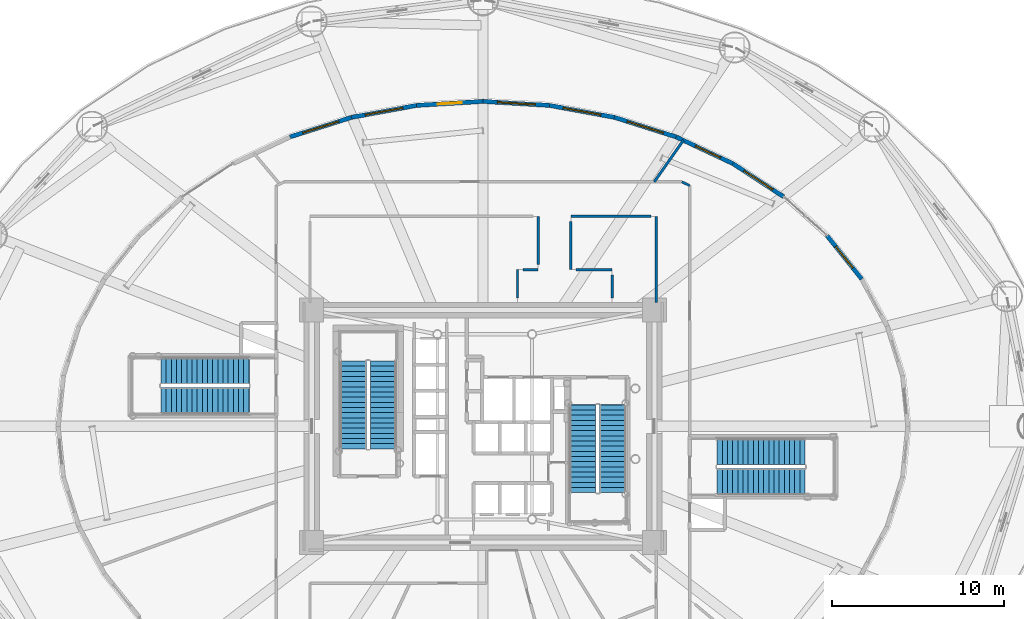
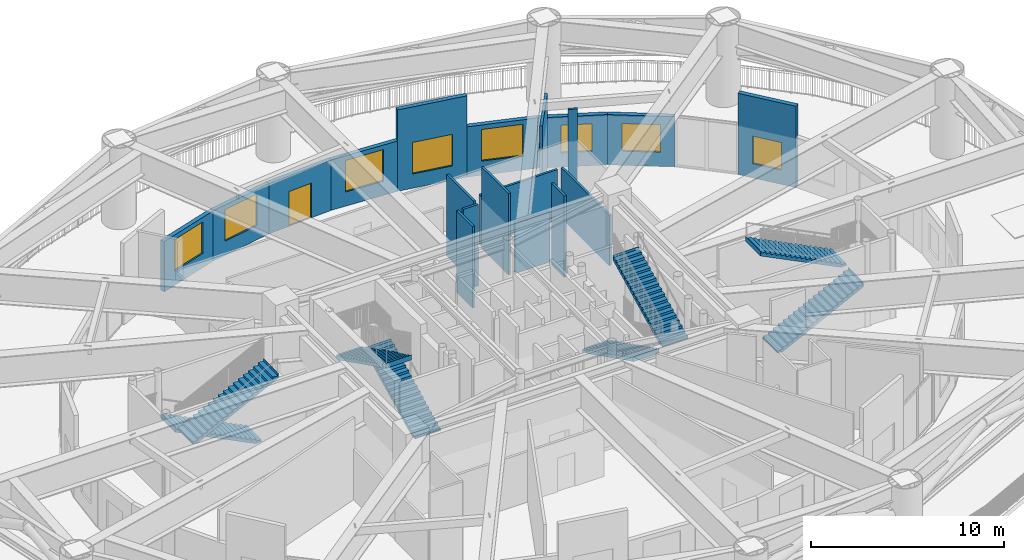
# One storey, part 26 of 39: 19 walls, 8 stair flights, 8 windows, 1 door, 9 openings, 4 elements without a shape of their own.
"""IFC4 building model written with IfcOpenShell, lengths in metres."""

from ifc_helpers import new_model, si_unit, direction, frame, frame_2d, origin, origin_2d, place, context, subcontext, project, spatial, polyline, rectangle, outline, extrude, source, transform, mapped, material, layer, layer_set, type_object, element, fill, aggregate, save


model = new_model("IFC4")

# Units and contexts
model_context = context("Model", 3, precision=1e-05, world=origin(), true_north=direction((0.0, 1.0)))
body_context = subcontext(model_context, "Body", "Model", "MODEL_VIEW")
ifc_project = project(units=[si_unit("LENGTHUNIT", "METRE"), si_unit("AREAUNIT", "SQUARE_METRE"), si_unit("VOLUMEUNIT", "CUBIC_METRE"), si_unit("PLANEANGLEUNIT", "RADIAN"), si_unit("MASSUNIT", "GRAM", prefix="KILO")], contexts=[model_context])

# Site, building, storey
site_placement = place(None, origin())
site = spatial("IfcSite", under=ifc_project, at=site_placement, CompositionType="ELEMENT")
building_placement = place(site_placement, origin())
building = spatial("IfcBuilding", under=site, at=building_placement, Name="Linh Dai School and Residence Tower", CompositionType="ELEMENT")
storey_placement = place(building_placement, frame((0.0, 0.0, 27.0)))
storey = spatial("IfcBuildingStorey", under=building, at=storey_placement, Name="L06", CompositionType="ELEMENT", Elevation=27.0)

# Wall, opening, window
ifc_material_1 = material(Name="Precast Concrete B45 (C35/45)", Category="concrete")
ifc_layer_1 = layer(ifc_material_1, 0.25)
ifc_layer_set_1 = layer_set([ifc_layer_1], Name="Precast Concrete B45 (C35/45)")
wall_type_1 = type_object("IfcWallType", Name="EW-TC-250", PredefinedType="SOLIDWALL", material=ifc_layer_set_1)
wall_1_placement = place(storey_placement, frame((55.972900390625, 38.08203125, 0.0), z_axis=(0.0, 0.0, 1.0), x_axis=(0.624639806262, -0.780912999272, 0.0)))
wall_1 = element("IfcWall", 1, at=wall_1_placement, inside=storey, type_object=wall_type_1, Name="L06 Terracotta Exterior Wall 04", PredefinedType="SOLIDWALL", context=body_context, shape_type="SweptSolid", body=[
    extrude(rectangle(XDim=3.23388671875, YDim=0.25, at=frame_2d((1.616943359375, 0.0))), origin(), (0.0, 0.0, 1.0), 5.14990234375),
])
opening_1_placement = place(wall_1_placement, frame((0.816650390625, 0.0, 0.89990234375)))
opening_1 = element("IfcOpeningElement", 2, at=opening_1_placement, cuts=wall_1, Name="Opening W2", PredefinedType="OPENING", context=body_context, shape_type="SweptSolid", body=[
    extrude(rectangle(XDim=1.60009765625, YDim=1.75, at=origin_2d()), frame((0.800048828125, 0.135009765625, 0.875), z_axis=(0.0, -1.0, 0.0), x_axis=(1.0, 0.0, 0.0)), (0.0, 0.0, 1.0), 0.27001953125),
])
ifc_material_2 = material(Name="Double Low-E Insulated Glazing", Category="glass")
window_type_1 = type_object("IfcWindowType", Name="WN-RES-1600x1750", PartitioningType="DOUBLE_PANEL_VERTICAL", PredefinedType="WINDOW", material=ifc_material_2)
shared_shape_1 = source(origin(), body_context, "Body", "SweptSolid", [
    extrude(rectangle(XDim=1.60009765625, YDim=1.75, at=origin_2d()), frame((0.800048828125, 0.030029296875, 0.875), z_axis=(0.0, -1.0, 0.0), x_axis=(1.0, 0.0, 0.0)), (0.0, 0.0, 1.0), 0.06005859375),
])
window_1_placement = place(opening_1_placement, origin())
window_1 = element("IfcWindow", 3, at=window_1_placement, inside=storey, type_object=window_type_1, Name="L06 Exterior Window 04.1", OverallHeight=1.75, OverallWidth=1.60009765625, PartitioningType="DOUBLE_PANEL_VERTICAL", PredefinedType="WINDOW", context=body_context, shape_type="MappedRepresentation", body=[
    mapped(shared_shape_1, transform((0.0, 0.0, 0.0), x_axis=(1.0, 0.0, 0.0), y_axis=(0.0, 1.0, 0.0), z_axis=(0.0, 0.0, 1.0), scale=1.0)),
])
fill(opening_1, window_1)

wall_2_placement = place(storey_placement, frame((50.516357421875, 42.26220703125, 0.0), z_axis=(0.0, 0.0, 1.0), x_axis=(0.836749499899, -0.547585860317, 0.0)))
wall_2 = element("IfcWall", 4, at=wall_2_placement, inside=storey, type_object=wall_type_1, Name="L06 Terracotta Exterior Wall 06", PredefinedType="SOLIDWALL", context=body_context, shape_type="SweptSolid", body=[
    extrude(rectangle(XDim=3.518310546875, YDim=0.25, at=frame_2d((1.75927734375, 0.0))), origin(), (0.0, 0.0, 1.0), 3.18505859375),
])
opening_2_placement = place(wall_2_placement, frame((0.7587890625, 0.0, 0.89990234375)))
opening_2 = element("IfcOpeningElement", 5, at=opening_2_placement, cuts=wall_2, Name="Opening W1", PredefinedType="OPENING", context=body_context, shape_type="SweptSolid", body=[
    extrude(rectangle(XDim=2.0, YDim=1.75, at=origin_2d()), frame((1.0, 0.135009765625, 0.875), z_axis=(0.0, -1.0, 0.0), x_axis=(1.0, 0.0, 0.0)), (0.0, 0.0, 1.0), 0.27001953125),
])
window_type_2 = type_object("IfcWindowType", Name="WN-RES-2000x1750", PartitioningType="DOUBLE_PANEL_VERTICAL", PredefinedType="WINDOW", material=ifc_material_2)
shared_shape_2 = source(origin(), body_context, "Body", "SweptSolid", [
    extrude(rectangle(XDim=2.0, YDim=1.75, at=origin_2d()), frame((1.0, 0.030029296875, 0.875), z_axis=(0.0, -1.0, 0.0), x_axis=(1.0, 0.0, 0.0)), (0.0, 0.0, 1.0), 0.06005859375),
])
window_2_placement = place(opening_2_placement, origin())
window_2 = element("IfcWindow", 6, at=window_2_placement, inside=storey, type_object=window_type_2, Name="L06 Exterior Window 06.1", OverallHeight=1.75, OverallWidth=2.0, PartitioningType="DOUBLE_PANEL_VERTICAL", PredefinedType="WINDOW", context=body_context, shape_type="MappedRepresentation", body=[
    mapped(shared_shape_2, transform((0.0, 0.0, 0.0), x_axis=(1.0, 0.0, 0.0), y_axis=(0.0, 1.0, 0.0), z_axis=(0.0, 0.0, 1.0), scale=1.0)),
])
fill(opening_2, window_2)

wall_3_placement = place(storey_placement, frame((47.213623046875, 43.812744140625, 0.0), z_axis=(0.0, 0.0, 1.0), x_axis=(0.905208052634, -0.424968682901, 0.0)))
wall_3 = element("IfcWall", 7, at=wall_3_placement, inside=storey, type_object=wall_type_1, Name="L06 Terracotta Exterior Wall 07", PredefinedType="SOLIDWALL", context=body_context, shape_type="SweptSolid", body=[
    extrude(rectangle(XDim=3.648681640625, YDim=0.25, at=frame_2d((1.82421875, 0.0))), origin(), (0.0, 0.0, 1.0), 3.18505859375),
])
opening_3_placement = place(wall_3_placement, frame((1.241455078125, 0.0, 0.89990234375)))
opening_3 = element("IfcOpeningElement", 8, at=opening_3_placement, cuts=wall_3, Name="Opening W2", PredefinedType="OPENING", context=body_context, shape_type="SweptSolid", body=[
    extrude(rectangle(XDim=1.60009765625, YDim=1.75, at=origin_2d()), frame((0.800048828125, 0.135009765625, 0.875), z_axis=(0.0, -1.0, 0.0), x_axis=(1.0, 0.0, 0.0)), (0.0, 0.0, 1.0), 0.27001953125),
])
window_3_placement = place(opening_3_placement, origin())
window_3 = element("IfcWindow", 9, at=window_3_placement, inside=storey, type_object=window_type_1, Name="L06 Exterior Window 07.1", OverallHeight=1.75, OverallWidth=1.60009765625, PartitioningType="DOUBLE_PANEL_VERTICAL", PredefinedType="WINDOW", context=body_context, shape_type="MappedRepresentation", body=[
    mapped(shared_shape_1, transform((0.0, 0.0, 0.0), x_axis=(1.0, 0.0, 0.0), y_axis=(0.0, 1.0, 0.0), z_axis=(0.0, 0.0, 1.0), scale=1.0)),
])
fill(opening_3, window_3)

wall_4_placement = place(storey_placement, frame((43.633544921875, 44.94873046875, 0.0), z_axis=(0.0, 0.0, 1.0), x_axis=(0.953166212936, -0.302446971412, 0.0)))
wall_4 = element("IfcWall", 10, at=wall_4_placement, inside=storey, type_object=wall_type_1, Name="L06 Terracotta Exterior Wall 08", PredefinedType="SOLIDWALL", context=body_context, shape_type="SweptSolid", body=[
    extrude(rectangle(XDim=3.756103515625, YDim=0.25, at=frame_2d((1.8779296875, 0.0))), origin(), (0.0, 0.0, 1.0), 3.18505859375),
])
opening_4_placement = place(wall_4_placement, frame((0.77783203125, 0.0, 0.89990234375)))
opening_4 = element("IfcOpeningElement", 11, at=opening_4_placement, cuts=wall_4, Name="Opening W4", PredefinedType="OPENING", context=body_context, shape_type="SweptSolid", body=[
    extrude(rectangle(XDim=2.199951171875, YDim=2.0, at=origin_2d()), frame((1.10009765625, 0.135009765625, 1.0), z_axis=(0.0, -1.0, 0.0), x_axis=(1.0, 0.0, 0.0)), (0.0, 0.0, 1.0), 0.27001953125),
])
ifc_material_3 = material(Name="Acoustic Laminated Low-E Glazing", Category="glass")
window_type_3 = type_object("IfcWindowType", Name="WN-SCH-2200x2000", PartitioningType="TRIPLE_PANEL_VERTICAL", PredefinedType="WINDOW", material=ifc_material_3)
shared_shape_3 = source(origin(), body_context, "Body", "SweptSolid", [
    extrude(rectangle(XDim=2.199951171875, YDim=2.0, at=origin_2d()), frame((1.10009765625, 0.030029296875, 1.0), z_axis=(0.0, -1.0, 0.0), x_axis=(1.0, 0.0, 0.0)), (0.0, 0.0, 1.0), 0.06005859375),
])
window_4_placement = place(opening_4_placement, origin())
window_4 = element("IfcWindow", 12, at=window_4_placement, inside=storey, type_object=window_type_3, Name="L06 Exterior Window 08.1", OverallHeight=2.0, OverallWidth=2.199951171875, PartitioningType="TRIPLE_PANEL_VERTICAL", PredefinedType="WINDOW", context=body_context, shape_type="MappedRepresentation", body=[
    mapped(shared_shape_3, transform((0.0, 0.0, 0.0), x_axis=(1.0, 0.0, 0.0), y_axis=(0.0, 1.0, 0.0), z_axis=(0.0, 0.0, 1.0), scale=1.0)),
])
fill(opening_4, window_4)

wall_5_placement = place(storey_placement, frame((39.864501953125, 45.64208984375, 0.0), z_axis=(0.0, 0.0, 1.0), x_axis=(0.983496768781, -0.180925691368, 0.0)))
wall_5 = element("IfcWall", 13, at=wall_5_placement, inside=storey, type_object=wall_type_1, Name="L06 Terracotta Exterior Wall 09", PredefinedType="SOLIDWALL", context=body_context, shape_type="SweptSolid", body=[
    extrude(rectangle(XDim=3.832275390625, YDim=0.25, at=frame_2d((1.916015625, 0.0))), origin(), (0.0, 0.0, 1.0), 5.14990234375),
])
opening_5_placement = place(wall_5_placement, frame((0.81591796875, 0.0, 0.89990234375)))
opening_5 = element("IfcOpeningElement", 14, at=opening_5_placement, cuts=wall_5, Name="Opening W4", PredefinedType="OPENING", context=body_context, shape_type="SweptSolid", body=[
    extrude(rectangle(XDim=2.199951171875, YDim=2.0, at=origin_2d()), frame((1.10009765625, 0.135009765625, 1.0), z_axis=(0.0, -1.0, 0.0), x_axis=(1.0, 0.0, 0.0)), (0.0, 0.0, 1.0), 0.27001953125),
])
window_5_placement = place(opening_5_placement, origin())
window_5 = element("IfcWindow", 15, at=window_5_placement, inside=storey, type_object=window_type_3, Name="L06 Exterior Window 09.1", OverallHeight=2.0, OverallWidth=2.199951171875, PartitioningType="TRIPLE_PANEL_VERTICAL", PredefinedType="WINDOW", context=body_context, shape_type="MappedRepresentation", body=[
    mapped(shared_shape_3, transform((0.0, 0.0, 0.0), x_axis=(1.0, 0.0, 0.0), y_axis=(0.0, 1.0, 0.0), z_axis=(0.0, 0.0, 1.0), scale=1.0)),
])
fill(opening_5, window_5)

wall_6_placement = place(storey_placement, frame((36.0, 45.875, 0.0), z_axis=(0.0, 0.0, 1.0), x_axis=(0.998188749064, -0.060159963776, 0.0)))
wall_6 = element("IfcWall", 16, at=wall_6_placement, inside=storey, type_object=wall_type_1, Name="L06 Terracotta Exterior Wall 10", PredefinedType="SOLIDWALL", context=body_context, shape_type="SweptSolid", body=[
    extrude(rectangle(XDim=3.87158203125, YDim=0.25, at=frame_2d((1.935791015625, 0.0))), origin(), (0.0, 0.0, 1.0), 3.18505859375),
])
opening_6_placement = place(wall_6_placement, frame((0.835693359375, 0.0, 0.89990234375)))
opening_6 = element("IfcOpeningElement", 17, at=opening_6_placement, cuts=wall_6, Name="Opening W4", PredefinedType="OPENING", context=body_context, shape_type="SweptSolid", body=[
    extrude(rectangle(XDim=2.199951171875, YDim=2.0, at=origin_2d()), frame((1.10009765625, 0.135009765625, 1.0), z_axis=(0.0, -1.0, 0.0), x_axis=(1.0, 0.0, 0.0)), (0.0, 0.0, 1.0), 0.27001953125),
])
window_6_placement = place(opening_6_placement, origin())
window_6 = element("IfcWindow", 18, at=window_6_placement, inside=storey, type_object=window_type_3, Name="L06 Exterior Window 10.1", OverallHeight=2.0, OverallWidth=2.199951171875, PartitioningType="TRIPLE_PANEL_VERTICAL", PredefinedType="WINDOW", context=body_context, shape_type="MappedRepresentation", body=[
    mapped(shared_shape_3, transform((0.0, 0.0, 0.0), x_axis=(1.0, 0.0, 0.0), y_axis=(0.0, 1.0, 0.0), z_axis=(0.0, 0.0, 1.0), scale=1.0)),
])
fill(opening_6, window_6)

# Wall, opening, door
wall_7_placement = place(storey_placement, frame((32.135498046875, 45.64208984375, 0.0), z_axis=(0.0, 0.0, 1.0), x_axis=(0.998188749064, 0.060159963776, 0.0)))
wall_7 = element("IfcWall", 19, at=wall_7_placement, inside=storey, type_object=wall_type_1, Name="L06 Terracotta Exterior Wall 11", PredefinedType="SOLIDWALL", context=body_context, shape_type="SweptSolid", body=[
    extrude(rectangle(XDim=3.87158203125, YDim=0.25, at=frame_2d((1.935791015625, 0.0))), origin(), (0.0, 0.0, 1.0), 3.18505859375),
])
opening_7_placement = place(wall_7_placement, frame((1.23583984375, 0.0, 0.0)))
opening_7 = element("IfcOpeningElement", 20, at=opening_7_placement, cuts=wall_7, Name="Opening DD1", PredefinedType="OPENING", context=body_context, shape_type="SweptSolid", body=[
    extrude(rectangle(XDim=1.39990234375, YDim=2.199951171875, at=origin_2d()), frame((0.699951171875, 0.135009765625, 1.10009765625), z_axis=(0.0, -1.0, 0.0), x_axis=(1.0, 0.0, 0.0)), (0.0, 0.0, 1.0), 0.27001953125),
])
ifc_material_4 = material(Name="Glazed Aluminium Terrace Door", Category="aluminium")
door_type = type_object("IfcDoorType", Name="DR-DECK-1400x2200", OperationType="NOTDEFINED", PredefinedType="DOOR", material=ifc_material_4)
shared_shape_4 = source(origin(), body_context, "Body", "SweptSolid", [
    extrude(rectangle(XDim=1.39990234375, YDim=2.199951171875, at=origin_2d()), frame((0.699951171875, 0.02490234375, 1.10009765625), z_axis=(0.0, -1.0, 0.0), x_axis=(1.0, 0.0, 0.0)), (0.0, 0.0, 1.0), 0.050048828125),
])
door_placement = place(opening_7_placement, origin())
door = element("IfcDoor", 21, at=door_placement, inside=storey, type_object=door_type, Name="L06 Outdoor Terrace Access Door 11", OperationType="SINGLE_SWING_LEFT", OverallHeight=2.199951171875, OverallWidth=1.39990234375, PredefinedType="DOOR", context=body_context, shape_type="MappedRepresentation", body=[
    mapped(shared_shape_4, transform((0.0, 0.0, 0.0), x_axis=(1.0, 0.0, 0.0), y_axis=(0.0, 1.0, 0.0), z_axis=(0.0, 0.0, 1.0), scale=1.0)),
])
fill(opening_7, door)

# Wall, opening, window
wall_8_placement = place(storey_placement, frame((28.366455078125, 44.94873046875, 0.0), z_axis=(0.0, 0.0, 1.0), x_axis=(0.983496768781, 0.180925691368, 0.0)))
wall_8 = element("IfcWall", 22, at=wall_8_placement, inside=storey, type_object=wall_type_1, Name="L06 Terracotta Exterior Wall 12", PredefinedType="SOLIDWALL", context=body_context, shape_type="SweptSolid", body=[
    extrude(rectangle(XDim=3.832275390625, YDim=0.25, at=frame_2d((1.916015625, 0.0))), origin(), (0.0, 0.0, 1.0), 3.18505859375),
])
opening_8_placement = place(wall_8_placement, frame((0.816162109375, 0.0, 0.89990234375)))
opening_8 = element("IfcOpeningElement", 23, at=opening_8_placement, cuts=wall_8, Name="Opening W4", PredefinedType="OPENING", context=body_context, shape_type="SweptSolid", body=[
    extrude(rectangle(XDim=2.199951171875, YDim=2.0, at=origin_2d()), frame((1.10009765625, 0.135009765625, 1.0), z_axis=(0.0, -1.0, 0.0), x_axis=(1.0, 0.0, 0.0)), (0.0, 0.0, 1.0), 0.27001953125),
])
window_7_placement = place(opening_8_placement, origin())
window_7 = element("IfcWindow", 24, at=window_7_placement, inside=storey, type_object=window_type_3, Name="L06 Exterior Window 12.1", OverallHeight=2.0, OverallWidth=2.199951171875, PartitioningType="TRIPLE_PANEL_VERTICAL", PredefinedType="WINDOW", context=body_context, shape_type="MappedRepresentation", body=[
    mapped(shared_shape_3, transform((0.0, 0.0, 0.0), x_axis=(1.0, 0.0, 0.0), y_axis=(0.0, 1.0, 0.0), z_axis=(0.0, 0.0, 1.0), scale=1.0)),
])
fill(opening_8, window_7)

wall_9_placement = place(storey_placement, frame((24.786376953125, 43.812744140625, 0.0), z_axis=(0.0, 0.0, 1.0), x_axis=(0.953166212936, 0.302446971412, 0.0)))
wall_9 = element("IfcWall", 25, at=wall_9_placement, inside=storey, type_object=wall_type_1, Name="L06 Terracotta Exterior Wall 13", PredefinedType="SOLIDWALL", context=body_context, shape_type="SweptSolid", body=[
    extrude(rectangle(XDim=3.756103515625, YDim=0.25, at=frame_2d((1.8779296875, 0.0))), origin(), (0.0, 0.0, 1.0), 3.18505859375),
])
opening_9_placement = place(wall_9_placement, frame((0.778076171875, 0.0, 0.89990234375)))
opening_9 = element("IfcOpeningElement", 26, at=opening_9_placement, cuts=wall_9, Name="Opening W4", PredefinedType="OPENING", context=body_context, shape_type="SweptSolid", body=[
    extrude(rectangle(XDim=2.199951171875, YDim=2.0, at=origin_2d()), frame((1.10009765625, 0.135009765625, 1.0), z_axis=(0.0, -1.0, 0.0), x_axis=(1.0, 0.0, 0.0)), (0.0, 0.0, 1.0), 0.27001953125),
])
window_8_placement = place(opening_9_placement, origin())
window_8 = element("IfcWindow", 27, at=window_8_placement, inside=storey, type_object=window_type_3, Name="L06 Exterior Window 13.1", OverallHeight=2.0, OverallWidth=2.199951171875, PartitioningType="TRIPLE_PANEL_VERTICAL", PredefinedType="WINDOW", context=body_context, shape_type="MappedRepresentation", body=[
    mapped(shared_shape_3, transform((0.0, 0.0, 0.0), x_axis=(1.0, 0.0, 0.0), y_axis=(0.0, 1.0, 0.0), z_axis=(0.0, 0.0, 1.0), scale=1.0)),
])
fill(opening_9, window_8)

# Walls
ifc_material_5 = material(Name="Autoclaved Aerated Concrete Blockwork", Category="masonry")
ifc_layer_2 = layer(ifc_material_5, 0.135009765625)
ifc_layer_set_2 = layer_set([ifc_layer_2], Name="Autoclaved Aerated Concrete Blockwork")
wall_type_2 = type_object("IfcWallType", Name="IW-CORR-135-EI90", PredefinedType="PARTITIONING", material=ifc_layer_set_2)
wall_10_placement = place(storey_placement, frame((47.543701171875, 41.199951171875, 0.0), z_axis=(0.0, 0.0, 1.0), x_axis=(0.90529016823, -0.42479372795, 0.0)))
element("IfcWall", 28, at=wall_10_placement, inside=storey, type_object=wall_type_2, Name="L06 Interior Partition Wall 060", PredefinedType="PARTITIONING", context=body_context, shape_type="SweptSolid", body=[
    extrude(rectangle(XDim=0.504150390625, YDim=0.135009765625, at=frame_2d((0.251953125, 0.0))), origin(), (0.0, 0.0, 1.0), 5.14990234375),
])
wall_11_placement = place(storey_placement, frame((46.050048828125, 34.199951171875, 0.0), z_axis=(0.0, 0.0, 1.0), x_axis=(0.0, 1.0, 0.0)))
element("IfcWall", 29, at=wall_11_placement, inside=storey, type_object=wall_type_2, Name="L06 Interior Partition Wall 084", PredefinedType="PARTITIONING", context=body_context, shape_type="SweptSolid", body=[
    extrude(rectangle(XDim=5.0, YDim=0.135009765625, at=frame_2d((2.5, 0.0))), origin(), (0.0, 0.0, 1.0), 3.18505859375),
])
wall_12_placement = place(storey_placement, frame((45.742431640625, 39.199951171875, 0.0), z_axis=(0.0, 0.0, 1.0), x_axis=(-1.0, 0.0, 0.0)))
element("IfcWall", 30, at=wall_12_placement, inside=storey, type_object=wall_type_2, Name="L06 Interior Partition Wall 085", PredefinedType="PARTITIONING", context=body_context, shape_type="SweptSolid", body=[
    extrude(rectangle(XDim=4.642333984375, YDim=0.135009765625, at=frame_2d((2.3212890625, 0.0))), origin(), (0.0, 0.0, 1.0), 3.18505859375),
])
wall_13_placement = place(storey_placement, frame((41.10009765625, 38.892578125, 0.0), z_axis=(0.0, 0.0, 1.0), x_axis=(0.0, -1.0, 0.0)))
element("IfcWall", 31, at=wall_13_placement, inside=storey, type_object=wall_type_2, Name="L06 Interior Partition Wall 086", PredefinedType="PARTITIONING", context=body_context, shape_type="SweptSolid", body=[
    extrude(rectangle(XDim=2.79248046875, YDim=0.135009765625, at=frame_2d((1.396240234375, 0.0))), origin(), (0.0, 0.0, 1.0), 5.14990234375),
])
wall_14_placement = place(storey_placement, frame((41.407470703125, 36.10009765625, 0.0), z_axis=(0.0, 0.0, 1.0), x_axis=(1.0, 0.0, 0.0)))
element("IfcWall", 32, at=wall_14_placement, inside=storey, type_object=wall_type_2, Name="L06 Interior Partition Wall 087", PredefinedType="PARTITIONING", context=body_context, shape_type="SweptSolid", body=[
    extrude(rectangle(XDim=2.092529296875, YDim=0.135009765625, at=frame_2d((1.04638671875, 0.0))), origin(), (0.0, 0.0, 1.0), 3.18505859375),
])
wall_15_placement = place(storey_placement, frame((43.5, 35.79248046875, 0.0), z_axis=(0.0, 0.0, 1.0), x_axis=(0.0, -1.0, 0.0)))
element("IfcWall", 33, at=wall_15_placement, inside=storey, type_object=wall_type_2, Name="L06 Interior Partition Wall 088", PredefinedType="PARTITIONING", context=body_context, shape_type="SweptSolid", body=[
    extrude(rectangle(XDim=1.33251953125, YDim=0.135009765625, at=frame_2d((0.666259765625, 0.0))), origin(), (0.0, 0.0, 1.0), 5.14990234375),
])
wall_16_placement = place(storey_placement, frame((38.0, 34.4599609375, 0.0), z_axis=(0.0, 0.0, 1.0), x_axis=(0.0, 1.0, 0.0)))
element("IfcWall", 34, at=wall_16_placement, inside=storey, type_object=wall_type_2, Name="L06 Interior Partition Wall 089", PredefinedType="PARTITIONING", context=body_context, shape_type="SweptSolid", body=[
    extrude(rectangle(XDim=1.64013671875, YDim=0.135009765625, at=frame_2d((0.820068359375, 0.0))), origin(), (0.0, 0.0, 1.0), 5.14990234375),
])
wall_17_placement = place(storey_placement, frame((38.3076171875, 36.10009765625, 0.0), z_axis=(0.0, 0.0, 1.0), x_axis=(1.0, 0.0, 0.0)))
element("IfcWall", 35, at=wall_17_placement, inside=storey, type_object=wall_type_2, Name="L06 Interior Partition Wall 090", PredefinedType="PARTITIONING", context=body_context, shape_type="SweptSolid", body=[
    extrude(rectangle(XDim=0.892333984375, YDim=0.135009765625, at=frame_2d((0.4462890625, 0.0))), origin(), (0.0, 0.0, 1.0), 5.14990234375),
])
wall_18_placement = place(storey_placement, frame((39.199951171875, 36.407470703125, 0.0), z_axis=(0.0, 0.0, 1.0), x_axis=(0.0, 1.0, 0.0)))
element("IfcWall", 36, at=wall_18_placement, inside=storey, type_object=wall_type_2, Name="L06 Interior Partition Wall 091", PredefinedType="PARTITIONING", context=body_context, shape_type="SweptSolid", body=[
    extrude(rectangle(XDim=2.79248046875, YDim=0.135009765625, at=frame_2d((1.396240234375, 0.0))), origin(), (0.0, 0.0, 1.0), 5.14990234375),
])
ifc_layer_3 = layer(ifc_material_5, 0.14990234375)
ifc_layer_set_3 = layer_set([ifc_layer_3], Name="Autoclaved Aerated Concrete Blockwork")
wall_type_3 = type_object("IfcWallType", Name="IW-SCH-150-EI60", PredefinedType="PARTITIONING", material=ifc_layer_set_3)
wall_19_placement = place(storey_placement, frame((45.94287109375, 41.199951171875, 0.0), z_axis=(0.0, 0.0, 1.0), x_axis=(0.573573291264, 0.819154246494, 0.0)))
element("IfcWall", 37, at=wall_19_placement, inside=storey, type_object=wall_type_3, Name="L06 Interior Partition Wall 057", PredefinedType="PARTITIONING", context=body_context, shape_type="SweptSolid", body=[
    extrude(rectangle(XDim=2.95361328125, YDim=0.14990234375, at=frame_2d((1.476806640625, 0.0))), origin(), (0.0, 0.0, 1.0), 4.635009765625),
])

# Stair, stair flights
ifc_material_6 = material(Name="Concrete B45 (C35/45)", Category="concrete")
stair_type = type_object("IfcStairType", Name="ST-DOG-1550-R1500", PredefinedType="HALF_TURN_STAIR", material=ifc_material_6)
stair_1_placement = place(storey_placement, origin())
stair_1 = element("IfcStair", 38, at=stair_1_placement, inside=storey, type_object=stair_type, Name="L06 Core Smokeproof Exit Stair ST1", PredefinedType="HALF_TURN_STAIR")
stair_flight_type = type_object("IfcStairFlightType", Name="STF-STR-1550-R1500", PredefinedType="STRAIGHT", material=ifc_material_6)
shared_shape_5 = source(origin(), body_context, "Body", "SweptSolid", [
    extrude(outline(polyline([(-0.02490234375, 0.0), (-0.02490234375, 0.06005859375), (0.0, 0.06005859375), (0.0, 0.14990234375), (0.300048828125, 0.14990234375), (0.300048828125, 0.300048828125), (0.60009765625, 0.300048828125), (0.60009765625, 0.449951171875), (0.89990234375, 0.449951171875), (0.89990234375, 0.60009765625), (1.199951171875, 0.60009765625), (1.199951171875, 0.75), (1.5, 0.75), (1.5, 0.89990234375), (1.800048828125, 0.89990234375), (1.800048828125, 1.050048828125), (2.10009765625, 1.050048828125), (2.10009765625, 1.199951171875), (2.39990234375, 1.199951171875), (2.39990234375, 1.35009765625), (2.699951171875, 1.35009765625), (2.699951171875, 1.5), (3.0, 1.5), (3.0, 1.64990234375), (3.300048828125, 1.64990234375), (3.300048828125, 1.800048828125), (3.60009765625, 1.800048828125), (3.60009765625, 1.949951171875), (3.89990234375, 1.949951171875), (3.89990234375, 2.10009765625), (4.199951171875, 2.10009765625), (4.199951171875, 2.25), (4.5, 2.25), (4.5, 2.39990234375), (4.800048828125, 2.39990234375), (4.800048828125, 2.550048828125), (5.10009765625, 2.550048828125), (5.10009765625, 2.699951171875), (5.125, 2.699951171875), (5.125, 2.38232421875), (5.10009765625, 2.38232421875), (0.335205078125, 0.0), (-0.02490234375, 0.0)])), frame((0.0, 0.77490234375, 0.0), z_axis=(0.0, -1.0, 0.0), x_axis=(1.0, 0.0, 0.0)), (0.0, 0.0, 1.0), 1.550048828125),
])
stair_flight_1_placement = place(storey_placement, frame((30.205078125, 25.699951171875, 0.0), z_axis=(0.0, 0.0, 1.0), x_axis=(0.0, 1.0, 0.0)))
stair_flight_1 = element("IfcStairFlight", 39, at=stair_flight_1_placement, type_object=stair_flight_type, Name="ST1 flight 1", NumberOfRisers=18, NumberOfTreads=17, PredefinedType="STRAIGHT", RiserHeight=0.15, TreadLength=0.3, context=body_context, shape_type="MappedRepresentation", body=[
    mapped(shared_shape_5, transform((0.0, 0.0, 0.0), x_axis=(1.0, 0.0, 0.0), y_axis=(0.0, 1.0, 0.0), z_axis=(0.0, 0.0, 1.0), scale=1.0)),
])
stair_flight_2_placement = place(storey_placement, frame((28.455078125, 30.800048828125, 2.699951171875), z_axis=(0.0, 0.0, 1.0), x_axis=(0.0, -1.0, 0.0)))
stair_flight_2 = element("IfcStairFlight", 40, at=stair_flight_2_placement, type_object=stair_flight_type, Name="ST1 flight 2", NumberOfRisers=18, NumberOfTreads=17, PredefinedType="STRAIGHT", RiserHeight=0.15, TreadLength=0.3, context=body_context, shape_type="MappedRepresentation", body=[
    mapped(shared_shape_5, transform((0.0, 0.0, 0.0), x_axis=(1.0, 0.0, 0.0), y_axis=(0.0, 1.0, 0.0), z_axis=(0.0, 0.0, 1.0), scale=1.0)),
])
aggregate(stair_1, [stair_flight_1, stair_flight_2])

stair_2_placement = place(storey_placement, origin())
stair_2 = element("IfcStair", 41, at=stair_2_placement, inside=storey, type_object=stair_type, Name="L06 Core Smokeproof Exit Stair ST2", PredefinedType="HALF_TURN_STAIR")
stair_flight_3_placement = place(storey_placement, frame((41.794921875, 28.25, 0.0), z_axis=(0.0, 0.0, 1.0), x_axis=(0.0, -1.0, 0.0)))
stair_flight_3 = element("IfcStairFlight", 42, at=stair_flight_3_placement, type_object=stair_flight_type, Name="ST2 flight 1", NumberOfRisers=18, NumberOfTreads=17, PredefinedType="STRAIGHT", RiserHeight=0.15, TreadLength=0.3, context=body_context, shape_type="MappedRepresentation", body=[
    mapped(shared_shape_5, transform((0.0, 0.0, 0.0), x_axis=(1.0, 0.0, 0.0), y_axis=(0.0, 1.0, 0.0), z_axis=(0.0, 0.0, 1.0), scale=1.0)),
])
stair_flight_4_placement = place(storey_placement, frame((43.544921875, 23.14990234375, 2.699951171875), z_axis=(0.0, 0.0, 1.0), x_axis=(0.0, 1.0, 0.0)))
stair_flight_4 = element("IfcStairFlight", 43, at=stair_flight_4_placement, type_object=stair_flight_type, Name="ST2 flight 2", NumberOfRisers=18, NumberOfTreads=17, PredefinedType="STRAIGHT", RiserHeight=0.15, TreadLength=0.3, context=body_context, shape_type="MappedRepresentation", body=[
    mapped(shared_shape_5, transform((0.0, 0.0, 0.0), x_axis=(1.0, 0.0, 0.0), y_axis=(0.0, 1.0, 0.0), z_axis=(0.0, 0.0, 1.0), scale=1.0)),
])
aggregate(stair_2, [stair_flight_3, stair_flight_4])

stair_3_placement = place(storey_placement, origin())
stair_3 = element("IfcStair", 44, at=stair_3_placement, inside=storey, type_object=stair_type, Name="L06 School Exit Stair STS1", PredefinedType="HALF_TURN_STAIR")
stair_flight_5_placement = place(storey_placement, frame((22.39990234375, 30.22509765625, 0.0), z_axis=(0.0, 0.0, 1.0), x_axis=(-1.0, 0.0, 0.0)))
stair_flight_5 = element("IfcStairFlight", 45, at=stair_flight_5_placement, type_object=stair_flight_type, Name="STS1 flight 1", NumberOfRisers=18, NumberOfTreads=17, PredefinedType="STRAIGHT", RiserHeight=0.15, TreadLength=0.3, context=body_context, shape_type="MappedRepresentation", body=[
    mapped(shared_shape_5, transform((0.0, 0.0, 0.0), x_axis=(1.0, 0.0, 0.0), y_axis=(0.0, 1.0, 0.0), z_axis=(0.0, 0.0, 1.0), scale=1.0)),
])
stair_flight_6_placement = place(storey_placement, frame((17.300048828125, 28.47509765625, 2.699951171875), z_axis=(0.0, 0.0, 1.0), x_axis=(1.0, 0.0, 0.0)))
stair_flight_6 = element("IfcStairFlight", 46, at=stair_flight_6_placement, type_object=stair_flight_type, Name="STS1 flight 2", NumberOfRisers=18, NumberOfTreads=17, PredefinedType="STRAIGHT", RiserHeight=0.15, TreadLength=0.3, context=body_context, shape_type="MappedRepresentation", body=[
    mapped(shared_shape_5, transform((0.0, 0.0, 0.0), x_axis=(1.0, 0.0, 0.0), y_axis=(0.0, 1.0, 0.0), z_axis=(0.0, 0.0, 1.0), scale=1.0)),
])
aggregate(stair_3, [stair_flight_5, stair_flight_6])

stair_4_placement = place(storey_placement, origin())
stair_4 = element("IfcStair", 47, at=stair_4_placement, inside=storey, type_object=stair_type, Name="L06 School Exit Stair STS2", PredefinedType="HALF_TURN_STAIR")
stair_flight_7_placement = place(storey_placement, frame((49.60009765625, 23.77490234375, 0.0), z_axis=(0.0, 0.0, 1.0), x_axis=(1.0, 0.0, 0.0)))
stair_flight_7 = element("IfcStairFlight", 48, at=stair_flight_7_placement, type_object=stair_flight_type, Name="STS2 flight 1", NumberOfRisers=18, NumberOfTreads=17, PredefinedType="STRAIGHT", RiserHeight=0.15, TreadLength=0.3, context=body_context, shape_type="MappedRepresentation", body=[
    mapped(shared_shape_5, transform((0.0, 0.0, 0.0), x_axis=(1.0, 0.0, 0.0), y_axis=(0.0, 1.0, 0.0), z_axis=(0.0, 0.0, 1.0), scale=1.0)),
])
stair_flight_8_placement = place(storey_placement, frame((54.699951171875, 25.52490234375, 2.699951171875), z_axis=(0.0, 0.0, 1.0), x_axis=(-1.0, 0.0, 0.0)))
stair_flight_8 = element("IfcStairFlight", 49, at=stair_flight_8_placement, type_object=stair_flight_type, Name="STS2 flight 2", NumberOfRisers=18, NumberOfTreads=17, PredefinedType="STRAIGHT", RiserHeight=0.15, TreadLength=0.3, context=body_context, shape_type="MappedRepresentation", body=[
    mapped(shared_shape_5, transform((0.0, 0.0, 0.0), x_axis=(1.0, 0.0, 0.0), y_axis=(0.0, 1.0, 0.0), z_axis=(0.0, 0.0, 1.0), scale=1.0)),
])
aggregate(stair_4, [stair_flight_7, stair_flight_8])

save(model, "model.ifc")
